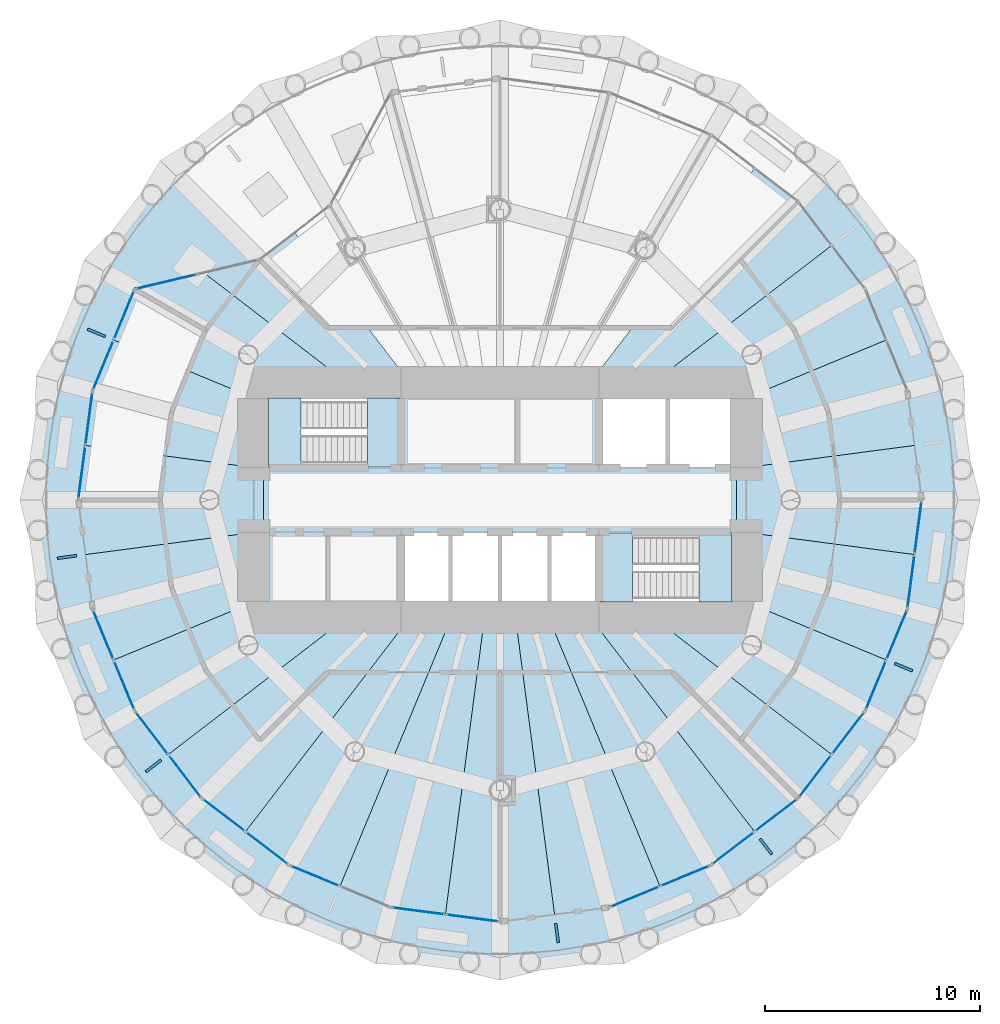
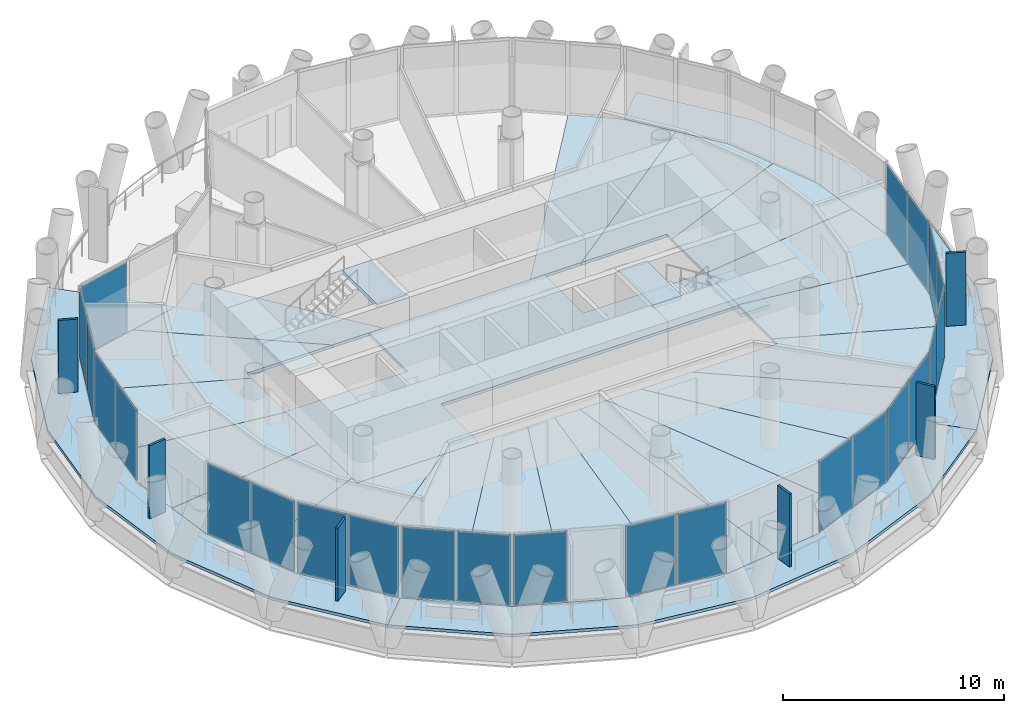
# One storey, part 7 of 14: 30 plates, 27 slabs, 15 elements without a shape of their own.
"""IFC4 building model written with IfcOpenShell, lengths in metres."""

from ifc_helpers import new_model, si_unit, direction, frame, origin, origin_2d, place, context, subcontext, project, spatial, polyline, rectangle, outline, extrude, material, layer, layer_set, type_object, element, aggregate, save


model = new_model("IFC4")

# Units and contexts
model_context = context("Model", 3, precision=1e-05, world=origin(), true_north=direction((0.0, 1.0)))
body_context = subcontext(model_context, "Body", "Model", "MODEL_VIEW")
ifc_project = project(units=[si_unit("LENGTHUNIT", "METRE"), si_unit("AREAUNIT", "SQUARE_METRE"), si_unit("VOLUMEUNIT", "CUBIC_METRE"), si_unit("PLANEANGLEUNIT", "RADIAN"), si_unit("MASSUNIT", "GRAM", prefix="KILO")], contexts=[model_context])

# Site, building, storey
site_placement = place(None, origin())
site = spatial("IfcSite", under=ifc_project, at=site_placement, CompositionType="ELEMENT")
building_placement = place(site_placement, origin())
building = spatial("IfcBuilding", under=site, at=building_placement, Name="Qaws Media Tower", CompositionType="ELEMENT")
storey_placement = place(building_placement, frame((0.0, 0.0, 261.199951171875)))
storey = spatial("IfcBuildingStorey", under=building, at=storey_placement, Name="L60", CompositionType="ELEMENT", Elevation=261.199951171875)

# Slabs
ifc_material_1 = material(Name="Concrete C35/45", Category="concrete")
ifc_layer_1 = layer(ifc_material_1, 0.159912109375)
ifc_layer_set_1 = layer_set([ifc_layer_1], Name="Composite balcony slab 160")
slab_type_1 = type_object("IfcSlabType", Name="Composite balcony slab 160", PredefinedType="FLOOR", material=ifc_layer_set_1)
slab_1_placement = place(storey_placement, frame((0.0, 0.0, -0.159912109375)))
element("IfcSlab", 1, at=slab_1_placement, inside=storey, type_object=slab_type_1, Name="S2 balcony slab L60 R10 to R16, movement joints on R10 and R16", PredefinedType="FLOOR", context=body_context, shape_type="SweptSolid", body=[
    extrude(outline(polyline([(41.12060546875, 39.10009765625), (38.94287109375, 44.357666015625), (38.199951171875, 50.0), (38.94287109375, 55.642333984375), (41.12060546875, 60.89990234375), (44.585205078125, 65.414794921875), (48.82763671875, 61.17236328125), (43.02587890625, 59.800048828125), (41.06787109375, 55.072998046875), (40.39990234375, 50.0), (41.06787109375, 44.927001953125), (43.02587890625, 40.199951171875), (46.140625, 36.140625), (44.585205078125, 34.585205078125), (41.12060546875, 39.10009765625)])), origin(), (0.0, 0.0, 1.0), 0.159912109375),
])
slab_2_placement = place(storey_placement, frame((0.0, 0.0, -0.159912109375)))
element("IfcSlab", 2, at=slab_2_placement, inside=storey, type_object=slab_type_1, Name="S2 balcony slab L60 R16 to R22, movement joints on R16 and R22", PredefinedType="FLOOR", context=body_context, shape_type="SweptSolid", body=[
    extrude(outline(polyline([(70.89990234375, 31.12060546875), (65.642333984375, 28.94287109375), (60.0, 28.199951171875), (54.357666015625, 28.94287109375), (49.10009765625, 31.12060546875), (44.585205078125, 34.585205078125), (46.140625, 36.140625), (50.199951171875, 33.02587890625), (54.927001953125, 31.06787109375), (60.0, 30.39990234375), (65.072998046875, 31.06787109375), (69.800048828125, 33.02587890625), (73.859375, 36.140625), (75.414794921875, 34.585205078125), (70.89990234375, 31.12060546875)])), origin(), (0.0, 0.0, 1.0), 0.159912109375),
])
slab_3_placement = place(storey_placement, frame((0.0, 0.0, -0.159912109375)))
element("IfcSlab", 3, at=slab_3_placement, inside=storey, type_object=slab_type_1, Name="S2 balcony slab L60 R22 to R04, movement joints on R22 and R04", PredefinedType="FLOOR", context=body_context, shape_type="SweptSolid", body=[
    extrude(outline(polyline([(78.87939453125, 39.10009765625), (75.414794921875, 34.585205078125), (73.859375, 36.140625), (76.97412109375, 40.199951171875), (78.93212890625, 44.927001953125), (79.60009765625, 50.0), (78.93212890625, 55.072998046875), (76.97412109375, 59.800048828125), (73.859375, 63.859375), (75.414794921875, 65.414794921875), (78.87939453125, 60.89990234375), (81.05712890625, 55.642333984375), (81.800048828125, 50.0), (81.05712890625, 44.357666015625), (78.87939453125, 39.10009765625)])), origin(), (0.0, 0.0, 1.0), 0.159912109375),
])
ifc_material_2 = material(Name="Concrete C35/45", Category="concrete")
ifc_layer_2 = layer(ifc_material_2, 0.159912109375)
ifc_layer_set_2 = layer_set([ifc_layer_2], Name="Composite floor slab 160")
slab_type_2 = type_object("IfcSlabType", Name="Composite floor slab 160", PredefinedType="FLOOR", material=ifc_layer_set_2)
slab_4_placement = place(storey_placement, frame((0.0, 0.0, -0.159912109375)))
element("IfcSlab", 4, at=slab_4_placement, inside=storey, type_object=slab_type_2, Name="S1 core floor slab L60", PredefinedType="FLOOR", context=body_context, shape_type="SweptSolid", body=[
    extrude(outline(polyline([(71.0, 51.5), (71.0, 48.5), (55.39990234375, 48.5), (55.39990234375, 45.0), (49.0, 45.0), (49.0, 51.5), (55.39990234375, 51.5), (55.39990234375, 55.0), (64.60009765625, 55.0), (64.60009765625, 51.5), (71.0, 51.5)])), origin(), (0.0, 0.0, 1.0), 0.159912109375),
])
slab_5_placement = place(storey_placement, frame((0.0, 0.0, -0.159912109375)))
element("IfcSlab", 5, at=slab_5_placement, inside=storey, type_object=slab_type_2, Name="S1 floor panel L60 on R01", PredefinedType="FLOOR", context=body_context, shape_type="SweptSolid", body=[
    extrude(outline(polyline([(79.60009765625, 50.0), (79.26611328125, 47.463623046875), (71.0, 48.5517578125), (71.0, 51.4482421875), (79.26611328125, 52.536376953125), (79.60009765625, 50.0)])), origin(), (0.0, 0.0, 1.0), 0.159912109375),
])
slab_6_placement = place(storey_placement, frame((0.0, 0.0, -0.159912109375)))
element("IfcSlab", 6, at=slab_6_placement, inside=storey, type_object=slab_type_2, Name="S1 floor panel L60 on R02", PredefinedType="FLOOR", context=body_context, shape_type="SweptSolid", body=[
    extrude(outline(polyline([(78.93212890625, 55.072998046875), (79.26611328125, 52.536376953125), (71.0, 51.4482421875), (71.0, 54.556396484375), (77.953125, 57.436279296875), (78.93212890625, 55.072998046875)])), origin(), (0.0, 0.0, 1.0), 0.159912109375),
])
slab_7_placement = place(storey_placement, frame((0.0, 0.0, -0.159912109375)))
element("IfcSlab", 7, at=slab_7_placement, inside=storey, type_object=slab_type_2, Name="S1 floor panel L60 on R03", PredefinedType="FLOOR", context=body_context, shape_type="SweptSolid", body=[
    extrude(outline(polyline([(76.97412109375, 59.800048828125), (77.953125, 57.436279296875), (71.0, 54.556396484375), (71.0, 55.0), (66.51611328125, 55.0), (75.416748046875, 61.82958984375), (76.97412109375, 59.800048828125)])), origin(), (0.0, 0.0, 1.0), 0.159912109375),
])
slab_8_placement = place(storey_placement, frame((0.0, 0.0, -0.159912109375)))
element("IfcSlab", 8, at=slab_8_placement, inside=storey, type_object=slab_type_2, Name="S1 floor panel L60 on R04", PredefinedType="FLOOR", context=body_context, shape_type="SweptSolid", body=[
    extrude(outline(polyline([(73.859375, 63.859375), (75.416748046875, 61.82958984375), (66.51611328125, 55.0), (63.836669921875, 55.0), (71.82958984375, 65.416748046875), (73.859375, 63.859375)])), origin(), (0.0, 0.0, 1.0), 0.159912109375),
])
slab_9_placement = place(storey_placement, frame((0.0, 0.0, -0.159912109375)))
element("IfcSlab", 9, at=slab_9_placement, inside=storey, type_object=slab_type_2, Name="S1 floor panel L60 on R10", PredefinedType="FLOOR", context=body_context, shape_type="SweptSolid", body=[
    extrude(outline(polyline([(48.82763671875, 61.17236328125), (50.4638671875, 62.427734375), (56.163330078125, 55.0), (53.48388671875, 55.0), (46.23828125, 60.559814453125), (48.82763671875, 61.17236328125)])), origin(), (0.0, 0.0, 1.0), 0.159912109375),
])
slab_10_placement = place(storey_placement, frame((0.0, 0.0, -0.159912109375)))
element("IfcSlab", 10, at=slab_10_placement, inside=storey, type_object=slab_type_2, Name="S1 floor panel L60 on R11", PredefinedType="FLOOR", context=body_context, shape_type="SweptSolid", body=[
    extrude(outline(polyline([(43.02587890625, 59.800048828125), (46.23828125, 60.559814453125), (53.48388671875, 55.0), (49.0, 55.0), (49.0, 54.556396484375), (42.046875, 57.436279296875), (43.02587890625, 59.800048828125)])), origin(), (0.0, 0.0, 1.0), 0.159912109375),
])
slab_11_placement = place(storey_placement, frame((0.0, 0.0, -0.159912109375)))
element("IfcSlab", 11, at=slab_11_placement, inside=storey, type_object=slab_type_2, Name="S1 floor panel L60 on R12", PredefinedType="FLOOR", context=body_context, shape_type="SweptSolid", body=[
    extrude(outline(polyline([(41.06787109375, 55.072998046875), (42.046875, 57.436279296875), (49.0, 54.556396484375), (49.0, 51.4482421875), (40.73388671875, 52.536376953125), (41.06787109375, 55.072998046875)])), origin(), (0.0, 0.0, 1.0), 0.159912109375),
])
slab_12_placement = place(storey_placement, frame((0.0, 0.0, -0.159912109375)))
element("IfcSlab", 12, at=slab_12_placement, inside=storey, type_object=slab_type_2, Name="S1 floor panel L60 on R13", PredefinedType="FLOOR", context=body_context, shape_type="SweptSolid", body=[
    extrude(outline(polyline([(40.39990234375, 50.0), (40.73388671875, 52.536376953125), (49.0, 51.4482421875), (49.0, 48.5517578125), (40.73388671875, 47.463623046875), (40.39990234375, 50.0)])), origin(), (0.0, 0.0, 1.0), 0.159912109375),
])
slab_13_placement = place(storey_placement, frame((0.0, 0.0, -0.159912109375)))
element("IfcSlab", 13, at=slab_13_placement, inside=storey, type_object=slab_type_2, Name="S1 floor panel L60 on R14", PredefinedType="FLOOR", context=body_context, shape_type="SweptSolid", body=[
    extrude(outline(polyline([(41.06787109375, 44.927001953125), (40.73388671875, 47.463623046875), (49.0, 48.5517578125), (49.0, 45.443603515625), (42.046875, 42.563720703125), (41.06787109375, 44.927001953125)])), origin(), (0.0, 0.0, 1.0), 0.159912109375),
])
slab_14_placement = place(storey_placement, frame((0.0, 0.0, -0.159912109375)))
element("IfcSlab", 14, at=slab_14_placement, inside=storey, type_object=slab_type_2, Name="S1 floor panel L60 on R15", PredefinedType="FLOOR", context=body_context, shape_type="SweptSolid", body=[
    extrude(outline(polyline([(43.02587890625, 40.199951171875), (42.046875, 42.563720703125), (49.0, 45.443603515625), (49.0, 45.0), (53.48388671875, 45.0), (44.583251953125, 38.17041015625), (43.02587890625, 40.199951171875)])), origin(), (0.0, 0.0, 1.0), 0.159912109375),
])
slab_15_placement = place(storey_placement, frame((0.0, 0.0, -0.159912109375)))
element("IfcSlab", 15, at=slab_15_placement, inside=storey, type_object=slab_type_2, Name="S1 floor panel L60 on R16", PredefinedType="FLOOR", context=body_context, shape_type="SweptSolid", body=[
    extrude(outline(polyline([(46.140625, 36.140625), (44.583251953125, 38.17041015625), (53.48388671875, 45.0), (56.163330078125, 45.0), (48.17041015625, 34.583251953125), (46.140625, 36.140625)])), origin(), (0.0, 0.0, 1.0), 0.159912109375),
])
slab_16_placement = place(storey_placement, frame((0.0, 0.0, -0.159912109375)))
element("IfcSlab", 16, at=slab_16_placement, inside=storey, type_object=slab_type_2, Name="S1 floor panel L60 on R17", PredefinedType="FLOOR", context=body_context, shape_type="SweptSolid", body=[
    extrude(outline(polyline([(50.199951171875, 33.02587890625), (48.17041015625, 34.583251953125), (56.163330078125, 45.0), (57.928955078125, 45.0), (52.563720703125, 32.046875), (50.199951171875, 33.02587890625)])), origin(), (0.0, 0.0, 1.0), 0.159912109375),
])
slab_17_placement = place(storey_placement, frame((0.0, 0.0, -0.159912109375)))
element("IfcSlab", 17, at=slab_17_placement, inside=storey, type_object=slab_type_2, Name="S1 floor panel L60 on R18", PredefinedType="FLOOR", context=body_context, shape_type="SweptSolid", body=[
    extrude(outline(polyline([(54.927001953125, 31.06787109375), (52.563720703125, 32.046875), (57.928955078125, 45.0), (59.341796875, 45.0), (57.463623046875, 30.73388671875), (54.927001953125, 31.06787109375)])), origin(), (0.0, 0.0, 1.0), 0.159912109375),
])
slab_18_placement = place(storey_placement, frame((0.0, 0.0, -0.159912109375)))
element("IfcSlab", 18, at=slab_18_placement, inside=storey, type_object=slab_type_2, Name="S1 floor panel L60 on R19", PredefinedType="FLOOR", context=body_context, shape_type="SweptSolid", body=[
    extrude(outline(polyline([(60.0, 30.39990234375), (57.463623046875, 30.73388671875), (59.341796875, 45.0), (60.658203125, 45.0), (62.536376953125, 30.73388671875), (60.0, 30.39990234375)])), origin(), (0.0, 0.0, 1.0), 0.159912109375),
])
slab_19_placement = place(storey_placement, frame((0.0, 0.0, -0.159912109375)))
element("IfcSlab", 19, at=slab_19_placement, inside=storey, type_object=slab_type_2, Name="S1 floor panel L60 on R20", PredefinedType="FLOOR", context=body_context, shape_type="SweptSolid", body=[
    extrude(outline(polyline([(65.072998046875, 31.06787109375), (62.536376953125, 30.73388671875), (60.658203125, 45.0), (62.071044921875, 45.0), (67.436279296875, 32.046875), (65.072998046875, 31.06787109375)])), origin(), (0.0, 0.0, 1.0), 0.159912109375),
])
slab_20_placement = place(storey_placement, frame((0.0, 0.0, -0.159912109375)))
element("IfcSlab", 20, at=slab_20_placement, inside=storey, type_object=slab_type_2, Name="S1 floor panel L60 on R21", PredefinedType="FLOOR", context=body_context, shape_type="SweptSolid", body=[
    extrude(outline(polyline([(69.800048828125, 33.02587890625), (67.436279296875, 32.046875), (62.071044921875, 45.0), (63.836669921875, 45.0), (71.82958984375, 34.583251953125), (69.800048828125, 33.02587890625)])), origin(), (0.0, 0.0, 1.0), 0.159912109375),
])
slab_21_placement = place(storey_placement, frame((0.0, 0.0, -0.159912109375)))
element("IfcSlab", 21, at=slab_21_placement, inside=storey, type_object=slab_type_2, Name="S1 floor panel L60 on R22", PredefinedType="FLOOR", context=body_context, shape_type="SweptSolid", body=[
    extrude(outline(polyline([(73.859375, 36.140625), (71.82958984375, 34.583251953125), (63.836669921875, 45.0), (66.51611328125, 45.0), (75.416748046875, 38.17041015625), (73.859375, 36.140625)])), origin(), (0.0, 0.0, 1.0), 0.159912109375),
])
slab_22_placement = place(storey_placement, frame((0.0, 0.0, -0.159912109375)))
element("IfcSlab", 22, at=slab_22_placement, inside=storey, type_object=slab_type_2, Name="S1 floor panel L60 on R23", PredefinedType="FLOOR", context=body_context, shape_type="SweptSolid", body=[
    extrude(outline(polyline([(76.97412109375, 40.199951171875), (75.416748046875, 38.17041015625), (66.51611328125, 45.0), (71.0, 45.0), (71.0, 45.443603515625), (77.953125, 42.563720703125), (76.97412109375, 40.199951171875)])), origin(), (0.0, 0.0, 1.0), 0.159912109375),
])
slab_23_placement = place(storey_placement, frame((0.0, 0.0, -0.159912109375)))
element("IfcSlab", 23, at=slab_23_placement, inside=storey, type_object=slab_type_2, Name="S1 floor panel L60 on R24", PredefinedType="FLOOR", context=body_context, shape_type="SweptSolid", body=[
    extrude(outline(polyline([(77.953125, 42.563720703125), (71.0, 45.443603515625), (71.0, 48.5517578125), (79.26611328125, 47.463623046875), (78.93212890625, 44.927001953125), (77.953125, 42.563720703125)])), origin(), (0.0, 0.0, 1.0), 0.159912109375),
])

# Curtain wall, plate
ifc_material_3 = material(Name="Aluminium and clear glass", Category="aluminium")
curtain_wall_type_1 = type_object("IfcCurtainWallType", Name="Loggia curtain wall CW-G", PredefinedType="NOTDEFINED", material=ifc_material_3)
curtain_wall_1_placement = place(storey_placement, origin())
curtain_wall_1 = element("IfcCurtainWall", 24, at=curtain_wall_1_placement, inside=storey, type_object=curtain_wall_type_1, Name="CWG curtain wall L60-10", PredefinedType="NOTDEFINED")
ifc_material_4 = material(Name="Clear laminated double glazing", Category="glass")
ifc_layer_3 = layer(ifc_material_4, 0.031982421875)
ifc_layer_set_3 = layer_set([ifc_layer_3], Name="Curtain wall glass unit 32")
plate_type_1 = type_object("IfcPlateType", Name="Curtain wall glass unit 32", PredefinedType="CURTAIN_PANEL", material=ifc_layer_set_3)
plate_1_placement = place(storey_placement, frame((44.495849609375, 60.147705078125, 0.080078125), z_axis=(0.0, 0.0, 1.0), x_axis=(-0.973148935934, -0.230176342162, 0.0)))
plate_1 = element("IfcPlate", 25, at=plate_1_placement, type_object=plate_type_1, Name="CWG panel 2.1", PredefinedType="CURTAIN_PANEL", context=body_context, shape_type="SweptSolid", body=[
    extrude(rectangle(XDim=2.86083984375, YDim=0.031982421875, at=origin_2d()), origin(), (0.0, 0.0, 1.0), 3.8798828125),
])
aggregate(curtain_wall_1, [plate_1])

# Curtain wall, plates
ifc_material_5 = material(Name="Aluminium and clear glass", Category="aluminium")
curtain_wall_type_2 = type_object("IfcCurtainWallType", Name="Unitised curtain wall CW-D", PredefinedType="NOTDEFINED", material=ifc_material_5)
curtain_wall_2_placement = place(storey_placement, origin())
curtain_wall_2 = element("IfcCurtainWall", 26, at=curtain_wall_2_placement, inside=storey, type_object=curtain_wall_type_2, Name="CWD curtain wall L60-11", PredefinedType="NOTDEFINED")
plate_2_placement = place(storey_placement, frame((42.52880859375, 58.599853515625, 0.080078125), z_axis=(0.0, 0.0, 1.0), x_axis=(-0.382683365851, -0.923879560063, 0.0)))
plate_2 = element("IfcPlate", 27, at=plate_2_placement, type_object=plate_type_1, Name="CWD panel 1.1", PredefinedType="CURTAIN_PANEL", context=body_context, shape_type="SweptSolid", body=[
    extrude(rectangle(XDim=2.438232421875, YDim=0.031982421875, at=origin_2d()), origin(), (0.0, 0.0, 1.0), 3.8798828125),
])
plate_3_placement = place(storey_placement, frame((41.56494140625, 56.273193359375, 0.080078125), z_axis=(0.0, 0.0, 1.0), x_axis=(-0.382683365851, -0.923879560063, 0.0)))
plate_3 = element("IfcPlate", 28, at=plate_3_placement, type_object=plate_type_1, Name="CWD panel 2.1", PredefinedType="CURTAIN_PANEL", context=body_context, shape_type="SweptSolid", body=[
    extrude(rectangle(XDim=2.438232421875, YDim=0.031982421875, at=origin_2d()), origin(), (0.0, 0.0, 1.0), 3.8798828125),
])
aggregate(curtain_wall_2, [plate_2, plate_3])

curtain_wall_3_placement = place(storey_placement, origin())
curtain_wall_3 = element("IfcCurtainWall", 29, at=curtain_wall_3_placement, inside=storey, type_object=curtain_wall_type_2, Name="CWD curtain wall L60-12", PredefinedType="NOTDEFINED")
plate_4_placement = place(storey_placement, frame((40.898193359375, 53.784912109375, 0.080078125), z_axis=(0.0, 0.0, 1.0), x_axis=(-0.130526236916, -0.991444855489, 0.0)))
plate_4 = element("IfcPlate", 30, at=plate_4_placement, type_object=plate_type_1, Name="CWD panel 1.1", PredefinedType="CURTAIN_PANEL", context=body_context, shape_type="SweptSolid", body=[
    extrude(rectangle(XDim=2.438232421875, YDim=0.031982421875, at=origin_2d()), origin(), (0.0, 0.0, 1.0), 3.8798828125),
])
plate_5_placement = place(storey_placement, frame((40.569580078125, 51.2880859375, 0.080078125), z_axis=(0.0, 0.0, 1.0), x_axis=(-0.130526236916, -0.991444855489, 0.0)))
plate_5 = element("IfcPlate", 31, at=plate_5_placement, type_object=plate_type_1, Name="CWD panel 2.1", PredefinedType="CURTAIN_PANEL", context=body_context, shape_type="SweptSolid", body=[
    extrude(rectangle(XDim=2.438232421875, YDim=0.031982421875, at=origin_2d()), origin(), (0.0, 0.0, 1.0), 3.8798828125),
])
aggregate(curtain_wall_3, [plate_4, plate_5])

curtain_wall_4_placement = place(storey_placement, origin())
curtain_wall_4 = element("IfcCurtainWall", 32, at=curtain_wall_4_placement, inside=storey, type_object=curtain_wall_type_2, Name="CWD curtain wall L60-14", PredefinedType="NOTDEFINED")
plate_6_placement = place(storey_placement, frame((41.56494140625, 43.726806640625, 0.080078125), z_axis=(0.0, 0.0, 1.0), x_axis=(0.382683365851, -0.923879560063, 0.0)))
plate_6 = element("IfcPlate", 33, at=plate_6_placement, type_object=plate_type_1, Name="CWD panel 1.1", PredefinedType="CURTAIN_PANEL", context=body_context, shape_type="SweptSolid", body=[
    extrude(rectangle(XDim=2.438232421875, YDim=0.031982421875, at=origin_2d()), origin(), (0.0, 0.0, 1.0), 3.8798828125),
])
plate_7_placement = place(storey_placement, frame((42.52880859375, 41.400146484375, 0.080078125), z_axis=(0.0, 0.0, 1.0), x_axis=(0.382683365851, -0.923879560063, 0.0)))
plate_7 = element("IfcPlate", 34, at=plate_7_placement, type_object=plate_type_1, Name="CWD panel 2.1", PredefinedType="CURTAIN_PANEL", context=body_context, shape_type="SweptSolid", body=[
    extrude(rectangle(XDim=2.438232421875, YDim=0.031982421875, at=origin_2d()), origin(), (0.0, 0.0, 1.0), 3.8798828125),
])
aggregate(curtain_wall_4, [plate_6, plate_7])

curtain_wall_5_placement = place(storey_placement, origin())
curtain_wall_5 = element("IfcCurtainWall", 35, at=curtain_wall_5_placement, inside=storey, type_object=curtain_wall_type_2, Name="CWD curtain wall L60-15", PredefinedType="NOTDEFINED")
plate_8_placement = place(storey_placement, frame((43.81689453125, 39.169189453125, 0.080078125), z_axis=(0.0, 0.0, 1.0), x_axis=(0.608761420271, -0.793353346996, 0.0)))
plate_8 = element("IfcPlate", 36, at=plate_8_placement, type_object=plate_type_1, Name="CWD panel 1.1", PredefinedType="CURTAIN_PANEL", context=body_context, shape_type="SweptSolid", body=[
    extrude(rectangle(XDim=2.438232421875, YDim=0.031982421875, at=origin_2d()), origin(), (0.0, 0.0, 1.0), 3.8798828125),
])
plate_9_placement = place(storey_placement, frame((45.349853515625, 37.17138671875, 0.080078125), z_axis=(0.0, 0.0, 1.0), x_axis=(0.608761420271, -0.793353346996, 0.0)))
plate_9 = element("IfcPlate", 37, at=plate_9_placement, type_object=plate_type_1, Name="CWD panel 2.1", PredefinedType="CURTAIN_PANEL", context=body_context, shape_type="SweptSolid", body=[
    extrude(rectangle(XDim=2.438232421875, YDim=0.031982421875, at=origin_2d()), origin(), (0.0, 0.0, 1.0), 3.8798828125),
])
aggregate(curtain_wall_5, [plate_8, plate_9])

curtain_wall_6_placement = place(storey_placement, origin())
curtain_wall_6 = element("IfcCurtainWall", 38, at=curtain_wall_6_placement, inside=storey, type_object=curtain_wall_type_2, Name="CWD curtain wall L60-16", PredefinedType="NOTDEFINED")
plate_10_placement = place(storey_placement, frame((47.17138671875, 35.349853515625, 0.080078125), z_axis=(0.0, 0.0, 1.0), x_axis=(0.793353346996, -0.608761420271, 0.0)))
plate_10 = element("IfcPlate", 39, at=plate_10_placement, type_object=plate_type_1, Name="CWD panel 1.1", PredefinedType="CURTAIN_PANEL", context=body_context, shape_type="SweptSolid", body=[
    extrude(rectangle(XDim=2.438232421875, YDim=0.031982421875, at=origin_2d()), origin(), (0.0, 0.0, 1.0), 3.8798828125),
])
plate_11_placement = place(storey_placement, frame((49.169189453125, 33.81689453125, 0.080078125), z_axis=(0.0, 0.0, 1.0), x_axis=(0.793353346996, -0.608761420271, 0.0)))
plate_11 = element("IfcPlate", 40, at=plate_11_placement, type_object=plate_type_1, Name="CWD panel 2.1", PredefinedType="CURTAIN_PANEL", context=body_context, shape_type="SweptSolid", body=[
    extrude(rectangle(XDim=2.438232421875, YDim=0.031982421875, at=origin_2d()), origin(), (0.0, 0.0, 1.0), 3.8798828125),
])
aggregate(curtain_wall_6, [plate_10, plate_11])

# Curtain wall, plate
curtain_wall_7_placement = place(storey_placement, origin())
curtain_wall_7 = element("IfcCurtainWall", 41, at=curtain_wall_7_placement, inside=storey, type_object=curtain_wall_type_2, Name="CWD curtain wall L60-17", PredefinedType="NOTDEFINED")
plate_12_placement = place(storey_placement, frame((51.400146484375, 32.52880859375, 0.080078125), z_axis=(0.0, 0.0, 1.0), x_axis=(0.923879560063, -0.382683365851, 0.0)))
plate_12 = element("IfcPlate", 42, at=plate_12_placement, type_object=plate_type_1, Name="CWD panel 1.1", PredefinedType="CURTAIN_PANEL", context=body_context, shape_type="SweptSolid", body=[
    extrude(rectangle(XDim=2.438232421875, YDim=0.031982421875, at=origin_2d()), origin(), (0.0, 0.0, 1.0), 3.8798828125),
])
aggregate(curtain_wall_7, [plate_12])

# Curtain wall, plates
curtain_wall_8_placement = place(storey_placement, origin())
curtain_wall_8 = element("IfcCurtainWall", 43, at=curtain_wall_8_placement, inside=storey, type_object=curtain_wall_type_2, Name="CWD curtain wall L60-18", PredefinedType="NOTDEFINED")
plate_13_placement = place(storey_placement, frame((56.215087890625, 30.898193359375, 0.080078125), z_axis=(0.0, 0.0, 1.0), x_axis=(0.991444855489, -0.130526236916, 0.0)))
plate_13 = element("IfcPlate", 44, at=plate_13_placement, type_object=plate_type_1, Name="CWD panel 1.1", PredefinedType="CURTAIN_PANEL", context=body_context, shape_type="SweptSolid", body=[
    extrude(rectangle(XDim=2.438232421875, YDim=0.031982421875, at=origin_2d()), origin(), (0.0, 0.0, 1.0), 3.8798828125),
])
plate_14_placement = place(storey_placement, frame((58.7119140625, 30.569580078125, 0.080078125), z_axis=(0.0, 0.0, 1.0), x_axis=(0.991444855489, -0.130526236916, 0.0)))
plate_14 = element("IfcPlate", 45, at=plate_14_placement, type_object=plate_type_1, Name="CWD panel 2.1", PredefinedType="CURTAIN_PANEL", context=body_context, shape_type="SweptSolid", body=[
    extrude(rectangle(XDim=2.438232421875, YDim=0.031982421875, at=origin_2d()), origin(), (0.0, 0.0, 1.0), 3.8798828125),
])
aggregate(curtain_wall_8, [plate_13, plate_14])

curtain_wall_9_placement = place(storey_placement, origin())
curtain_wall_9 = element("IfcCurtainWall", 46, at=curtain_wall_9_placement, inside=storey, type_object=curtain_wall_type_2, Name="CWD curtain wall L60-20", PredefinedType="NOTDEFINED")
plate_15_placement = place(storey_placement, frame((66.273193359375, 31.56494140625, 0.080078125), z_axis=(0.0, 0.0, 1.0), x_axis=(0.923879560063, 0.382683365851, 0.0)))
plate_15 = element("IfcPlate", 47, at=plate_15_placement, type_object=plate_type_1, Name="CWD panel 1.1", PredefinedType="CURTAIN_PANEL", context=body_context, shape_type="SweptSolid", body=[
    extrude(rectangle(XDim=2.438232421875, YDim=0.031982421875, at=origin_2d()), origin(), (0.0, 0.0, 1.0), 3.8798828125),
])
plate_16_placement = place(storey_placement, frame((68.599853515625, 32.52880859375, 0.080078125), z_axis=(0.0, 0.0, 1.0), x_axis=(0.923879560063, 0.382683365851, 0.0)))
plate_16 = element("IfcPlate", 48, at=plate_16_placement, type_object=plate_type_1, Name="CWD panel 2.1", PredefinedType="CURTAIN_PANEL", context=body_context, shape_type="SweptSolid", body=[
    extrude(rectangle(XDim=2.438232421875, YDim=0.031982421875, at=origin_2d()), origin(), (0.0, 0.0, 1.0), 3.8798828125),
])
aggregate(curtain_wall_9, [plate_15, plate_16])

curtain_wall_10_placement = place(storey_placement, origin())
curtain_wall_10 = element("IfcCurtainWall", 49, at=curtain_wall_10_placement, inside=storey, type_object=curtain_wall_type_2, Name="CWD curtain wall L60-21", PredefinedType="NOTDEFINED")
plate_17_placement = place(storey_placement, frame((70.830810546875, 33.81689453125, 0.080078125), z_axis=(0.0, 0.0, 1.0), x_axis=(0.793353346996, 0.608761420271, 0.0)))
plate_17 = element("IfcPlate", 50, at=plate_17_placement, type_object=plate_type_1, Name="CWD panel 1.1", PredefinedType="CURTAIN_PANEL", context=body_context, shape_type="SweptSolid", body=[
    extrude(rectangle(XDim=2.438232421875, YDim=0.031982421875, at=origin_2d()), origin(), (0.0, 0.0, 1.0), 3.8798828125),
])
plate_18_placement = place(storey_placement, frame((72.82861328125, 35.349853515625, 0.080078125), z_axis=(0.0, 0.0, 1.0), x_axis=(0.793353346996, 0.608761420271, 0.0)))
plate_18 = element("IfcPlate", 51, at=plate_18_placement, type_object=plate_type_1, Name="CWD panel 2.1", PredefinedType="CURTAIN_PANEL", context=body_context, shape_type="SweptSolid", body=[
    extrude(rectangle(XDim=2.438232421875, YDim=0.031982421875, at=origin_2d()), origin(), (0.0, 0.0, 1.0), 3.8798828125),
])
aggregate(curtain_wall_10, [plate_17, plate_18])

curtain_wall_11_placement = place(storey_placement, origin())
curtain_wall_11 = element("IfcCurtainWall", 52, at=curtain_wall_11_placement, inside=storey, type_object=curtain_wall_type_2, Name="CWD curtain wall L60-22", PredefinedType="NOTDEFINED")
plate_19_placement = place(storey_placement, frame((74.650146484375, 37.17138671875, 0.080078125), z_axis=(0.0, 0.0, 1.0), x_axis=(0.608761420271, 0.793353346996, 0.0)))
plate_19 = element("IfcPlate", 53, at=plate_19_placement, type_object=plate_type_1, Name="CWD panel 1.1", PredefinedType="CURTAIN_PANEL", context=body_context, shape_type="SweptSolid", body=[
    extrude(rectangle(XDim=2.438232421875, YDim=0.031982421875, at=origin_2d()), origin(), (0.0, 0.0, 1.0), 3.8798828125),
])
plate_20_placement = place(storey_placement, frame((76.18310546875, 39.169189453125, 0.080078125), z_axis=(0.0, 0.0, 1.0), x_axis=(0.608761420271, 0.793353346996, 0.0)))
plate_20 = element("IfcPlate", 54, at=plate_20_placement, type_object=plate_type_1, Name="CWD panel 2.1", PredefinedType="CURTAIN_PANEL", context=body_context, shape_type="SweptSolid", body=[
    extrude(rectangle(XDim=2.438232421875, YDim=0.031982421875, at=origin_2d()), origin(), (0.0, 0.0, 1.0), 3.8798828125),
])
aggregate(curtain_wall_11, [plate_19, plate_20])

curtain_wall_12_placement = place(storey_placement, origin())
curtain_wall_12 = element("IfcCurtainWall", 55, at=curtain_wall_12_placement, inside=storey, type_object=curtain_wall_type_2, Name="CWD curtain wall L60-23", PredefinedType="NOTDEFINED")
plate_21_placement = place(storey_placement, frame((77.47119140625, 41.400146484375, 0.080078125), z_axis=(0.0, 0.0, 1.0), x_axis=(0.382683365851, 0.923879560063, 0.0)))
plate_21 = element("IfcPlate", 56, at=plate_21_placement, type_object=plate_type_1, Name="CWD panel 1.1", PredefinedType="CURTAIN_PANEL", context=body_context, shape_type="SweptSolid", body=[
    extrude(rectangle(XDim=2.438232421875, YDim=0.031982421875, at=origin_2d()), origin(), (0.0, 0.0, 1.0), 3.8798828125),
])
plate_22_placement = place(storey_placement, frame((78.43505859375, 43.726806640625, 0.080078125), z_axis=(0.0, 0.0, 1.0), x_axis=(0.382683365851, 0.923879560063, 0.0)))
plate_22 = element("IfcPlate", 57, at=plate_22_placement, type_object=plate_type_1, Name="CWD panel 2.1", PredefinedType="CURTAIN_PANEL", context=body_context, shape_type="SweptSolid", body=[
    extrude(rectangle(XDim=2.438232421875, YDim=0.031982421875, at=origin_2d()), origin(), (0.0, 0.0, 1.0), 3.8798828125),
])
aggregate(curtain_wall_12, [plate_21, plate_22])

curtain_wall_13_placement = place(storey_placement, origin())
curtain_wall_13 = element("IfcCurtainWall", 58, at=curtain_wall_13_placement, inside=storey, type_object=curtain_wall_type_2, Name="CWD curtain wall L60-24", PredefinedType="NOTDEFINED")
plate_23_placement = place(storey_placement, frame((79.101806640625, 46.215087890625, 0.080078125), z_axis=(0.0, 0.0, 1.0), x_axis=(0.130526236916, 0.991444855489, 0.0)))
plate_23 = element("IfcPlate", 59, at=plate_23_placement, type_object=plate_type_1, Name="CWD panel 1.1", PredefinedType="CURTAIN_PANEL", context=body_context, shape_type="SweptSolid", body=[
    extrude(rectangle(XDim=2.438232421875, YDim=0.031982421875, at=origin_2d()), origin(), (0.0, 0.0, 1.0), 3.8798828125),
])
plate_24_placement = place(storey_placement, frame((79.430419921875, 48.7119140625, 0.080078125), z_axis=(0.0, 0.0, 1.0), x_axis=(0.130526236916, 0.991444855489, 0.0)))
plate_24 = element("IfcPlate", 60, at=plate_24_placement, type_object=plate_type_1, Name="CWD panel 2.1", PredefinedType="CURTAIN_PANEL", context=body_context, shape_type="SweptSolid", body=[
    extrude(rectangle(XDim=2.438232421875, YDim=0.031982421875, at=origin_2d()), origin(), (0.0, 0.0, 1.0), 3.8798828125),
])
aggregate(curtain_wall_13, [plate_23, plate_24])

# Plates
ifc_material_6 = material(Name="Precast concrete screen fin", Category="concrete")
ifc_layer_4 = layer(ifc_material_6, 0.1201171875)
ifc_layer_set_4 = layer_set([ifc_layer_4], Name="Screen fin 120x900")
plate_type_2 = type_object("IfcPlateType", Name="Screen fin 120x900", PredefinedType="USERDEFINED", material=ifc_layer_set_4)
for number, where, z_axis, x_axis, name in (
    (61, (41.245361328125, 57.7685546875, 0.0), (0.0, 0.0, 1.0), (-0.923879532511, 0.382683432365, 0.0), "SCR1 screen fin L60-06"),
    (62, (39.873779296875, 47.350341796875, 0.0), (0.0, 0.0, 1.0), (-0.991444861374, -0.13052619222, 0.0), "SCR1 screen fin L60-07"),
    (63, (43.89501953125, 37.64208984375, 0.0), (0.0, 0.0, 1.0), (-0.793353340291, -0.608761429009, 0.0), "SCR1 screen fin L60-08"),
    (64, (62.649658203125, 29.873779296875, 0.0), (0.0, 0.0, 1.0), (0.13052619222, -0.991444861374, 0.0), "SCR1 screen fin L60-10"),
    (65, (72.35791015625, 33.89501953125, 0.0), (0.0, 0.0, 1.0), (0.608761429009, -0.793353340291, 0.0), "SCR1 screen fin L60-11"),
    (66, (78.754638671875, 42.2314453125, 0.0), (0.0, 0.0, 1.0), (0.923879532511, -0.382683432365, 0.0), "SCR1 screen fin L60-12"),
):
    element("IfcPlate", number, at=place(storey_placement, frame(where, z_axis=z_axis, x_axis=x_axis)), inside=storey, type_object=plate_type_2, Name=name, ObjectType="SCREEN", PredefinedType="USERDEFINED", context=body_context, shape_type="SweptSolid", body=[
        extrude(rectangle(XDim=0.89990234375, YDim=0.1201171875, at=origin_2d()), origin(), (0.0, 0.0, 1.0), 4.0400390625),
    ])

# Stair, slabs
ifc_material_7 = material(Name="Concrete C40/50", Category="concrete")
stair_type = type_object("IfcStairType", Name="Exit stair", PredefinedType="HALF_TURN_STAIR", material=ifc_material_7)
stair_1_placement = place(storey_placement, origin())
stair_1 = element("IfcStair", 67, at=stair_1_placement, inside=storey, type_object=stair_type, Name="S1 exit stair L60", PredefinedType="HALF_TURN_STAIR")
ifc_material_8 = material(Name="Concrete C40/50", Category="concrete")
ifc_layer_5 = layer(ifc_material_8, 0.199951171875)
ifc_layer_set_5 = layer_set([ifc_layer_5], Name="Stair landing 200")
slab_type_3 = type_object("IfcSlabType", Name="Stair landing 200", PredefinedType="LANDING", material=ifc_layer_set_5)
slab_24_placement = place(storey_placement, frame((0.0, 0.0, 1.900146484375)))
slab_24 = element("IfcSlab", 68, at=slab_24_placement, type_object=slab_type_3, Name="S1 landing 1", PredefinedType="LANDING", context=body_context, shape_type="SweptSolid", body=[
    extrude(outline(polyline([(49.25, 51.550048828125), (50.760009765625, 51.550048828125), (50.760009765625, 54.75), (49.25, 54.75), (49.25, 51.550048828125)])), origin(), (0.0, 0.0, 1.0), 0.199951171875),
])
slab_25_placement = place(storey_placement, frame((0.0, 0.0, 4.0)))
slab_25 = element("IfcSlab", 69, at=slab_25_placement, type_object=slab_type_3, Name="S1 landing 2", PredefinedType="LANDING", context=body_context, shape_type="SweptSolid", body=[
    extrude(outline(polyline([(53.840087890625, 51.550048828125), (55.35009765625, 51.550048828125), (55.35009765625, 54.75), (53.840087890625, 54.75), (53.840087890625, 51.550048828125)])), origin(), (0.0, 0.0, 1.0), 0.199951171875),
])
aggregate(stair_1, [slab_24, slab_25])

stair_2_placement = place(storey_placement, origin())
stair_2 = element("IfcStair", 70, at=stair_2_placement, inside=storey, type_object=stair_type, Name="S2 exit stair L60", PredefinedType="HALF_TURN_STAIR")
slab_26_placement = place(storey_placement, frame((0.0, 0.0, 1.900146484375)))
slab_26 = element("IfcSlab", 71, at=slab_26_placement, type_object=slab_type_3, Name="S2 landing 1", PredefinedType="LANDING", context=body_context, shape_type="SweptSolid", body=[
    extrude(outline(polyline([(69.239990234375, 45.25), (70.75, 45.25), (70.75, 48.449951171875), (69.239990234375, 48.449951171875), (69.239990234375, 45.25)])), origin(), (0.0, 0.0, 1.0), 0.199951171875),
])
slab_27_placement = place(storey_placement, frame((0.0, 0.0, 4.0)))
slab_27 = element("IfcSlab", 72, at=slab_27_placement, type_object=slab_type_3, Name="S2 landing 2", PredefinedType="LANDING", context=body_context, shape_type="SweptSolid", body=[
    extrude(outline(polyline([(64.64990234375, 45.25), (66.159912109375, 45.25), (66.159912109375, 48.449951171875), (64.64990234375, 48.449951171875), (64.64990234375, 45.25)])), origin(), (0.0, 0.0, 1.0), 0.199951171875),
])
aggregate(stair_2, [slab_26, slab_27])

save(model, "model.ifc")
